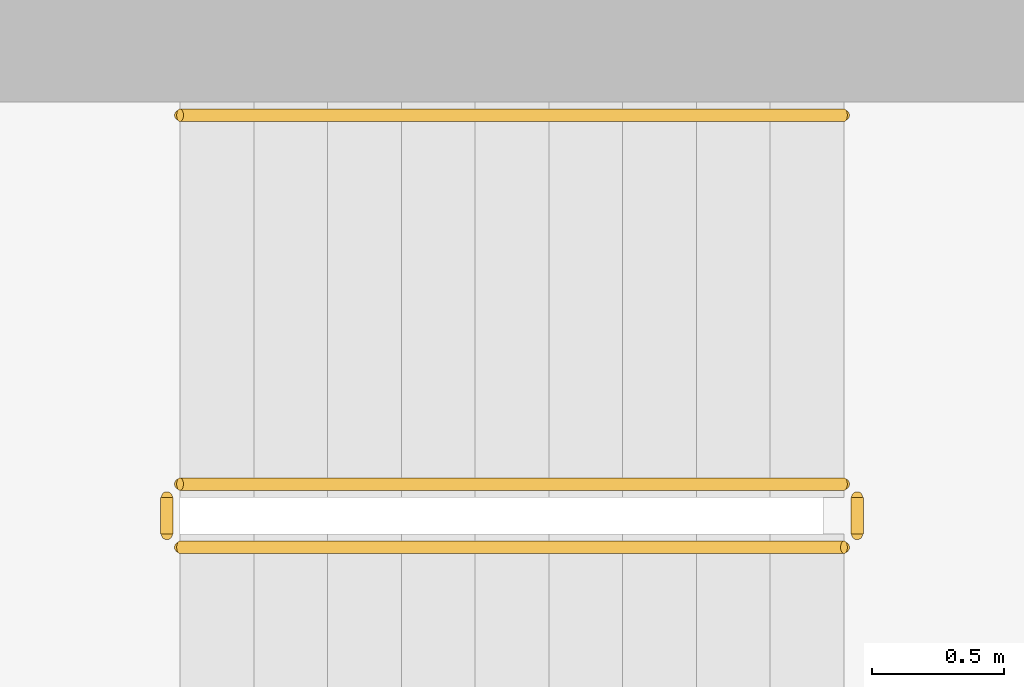
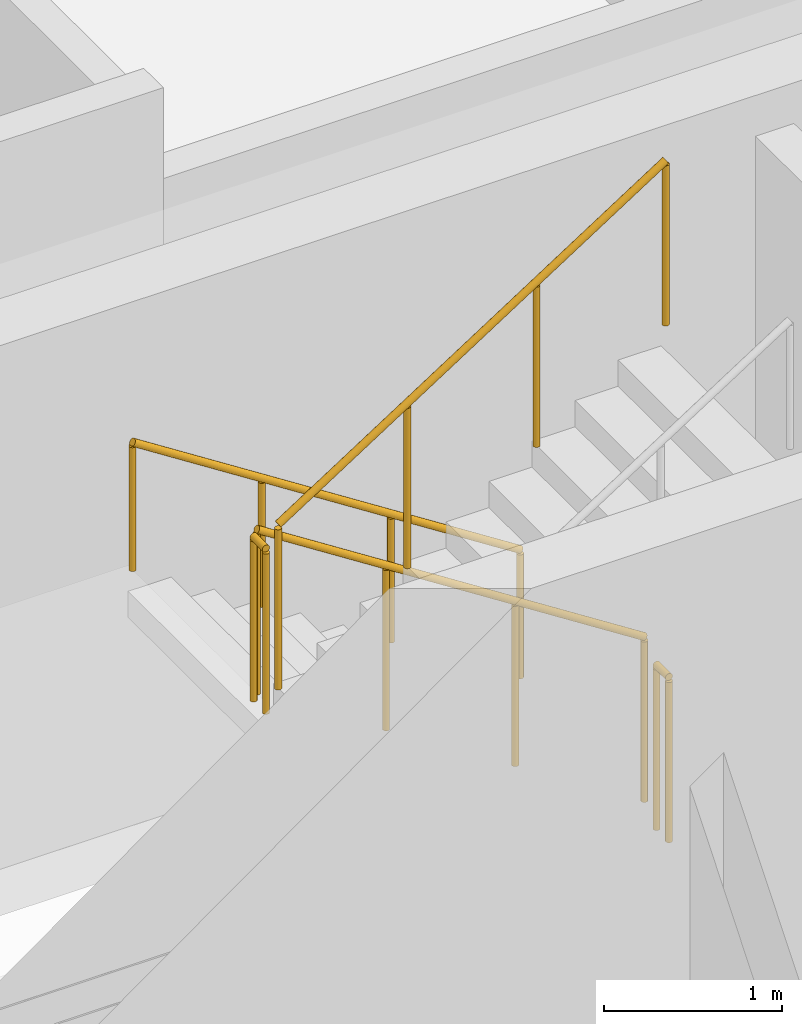
# One storey, part 12 of 13: 5 railings.
"""IFC4 building model written with IfcOpenShell, lengths in metres."""

from ifc_helpers import new_model, si_unit, derived_unit, direction, frame, origin, origin_2d, place, context, subcontext, project, spatial, circle, extrude, material, type_object, element, save


model = new_model("IFC4")

# Units and contexts
model_context = context("Model", 3, precision=1e-05, world=origin(), true_north=direction((0.0, 1.0)))
body_context = subcontext(model_context, "Body", "Model", "MODEL_VIEW")
ifc_project = project(units=[si_unit("LENGTHUNIT", "METRE"), si_unit("AREAUNIT", "SQUARE_METRE"), si_unit("VOLUMEUNIT", "CUBIC_METRE"), si_unit("PLANEANGLEUNIT", "RADIAN"), si_unit("MASSUNIT", "GRAM", prefix="KILO"), derived_unit("THERMALTRANSMITTANCEUNIT", [(si_unit("POWERUNIT", "WATT"), 1), (si_unit("LENGTHUNIT", "METRE"), -2), (si_unit("THERMODYNAMICTEMPERATUREUNIT", "KELVIN"), -1)])], contexts=[model_context])

# Site, building, storey
site_placement = place(None, origin())
site = spatial("IfcSite", under=ifc_project, at=site_placement, CompositionType="ELEMENT")
building_placement = place(site_placement, origin())
building = spatial("IfcBuilding", under=site, at=building_placement, Name="Kivonza Crest Hotel", CompositionType="ELEMENT")
storey_placement = place(building_placement, frame((0.0, 0.0, 199.10009765625)))
storey = spatial("IfcBuildingStorey", under=building, at=storey_placement, Name="L54", CompositionType="ELEMENT", Elevation=199.10009765625)

# Railings
ifc_material_1 = material(Name="Brushed stainless steel handrail", Category="steel")
railing_type_1 = type_object("IfcRailingType", Name="RL-HAND-900", PredefinedType="HANDRAIL", material=ifc_material_1)
railing_1_placement = place(storey_placement, frame((12.239990234375, 36.110107421875, 0.179931640625)))
element("IfcRailing", 1, at=railing_1_placement, inside=storey, type_object=railing_type_1, Name="L54 ST-T1-N stair handrail 1", PredefinedType="HANDRAIL", context=body_context, shape_type="SweptSolid", body=[
    extrude(circle(Radius=0.02392578125, at=origin_2d()), frame((0.0, 0.0, 0.8759765625), z_axis=(-0.841199657755, 0.0, 0.540724639528), x_axis=(0.0, -1.0, 0.0)), (0.0, 0.0, 1.0), 2.995849609375),
    extrude(circle(Radius=0.02099609375, at=origin_2d()), origin(), (0.0, 0.0, 1.0), 0.851806640625),
    extrude(circle(Radius=0.02099609375, at=origin_2d()), frame((-0.840087890625, 0.0, 0.5400390625)), (0.0, 0.0, 1.0), 0.851806640625),
    extrude(circle(Radius=0.02099609375, at=origin_2d()), frame((-1.679931640625, 0.0, 1.079833984375)), (0.0, 0.0, 1.0), 0.851806640625),
    extrude(circle(Radius=0.02099609375, at=origin_2d()), frame((-2.52001953125, 0.0, 1.619873046875)), (0.0, 0.0, 1.0), 0.851806640625),
])
ifc_material_2 = material(Name="Painted steel balustrade", Category="steel")
railing_type_2 = type_object("IfcRailingType", Name="RL-STAIR-1150", PredefinedType="BALUSTRADE", material=ifc_material_2)
railing_2_placement = place(storey_placement, frame((12.239990234375, 34.7099609375, 0.179931640625)))
element("IfcRailing", 2, at=railing_2_placement, inside=storey, type_object=railing_type_2, Name="L54 ST-T1-N stair guard 1", PredefinedType="BALUSTRADE", context=body_context, shape_type="SweptSolid", body=[
    extrude(circle(Radius=0.02392578125, at=origin_2d()), frame((0.0, 0.0, 1.1259765625), z_axis=(-0.841199657755, 0.0, 0.540724639528), x_axis=(0.0, -1.0, 0.0)), (0.0, 0.0, 1.0), 2.995849609375),
    extrude(circle(Radius=0.02099609375, at=origin_2d()), origin(), (0.0, 0.0, 1.0), 1.101806640625),
    extrude(circle(Radius=0.02099609375, at=origin_2d()), frame((-0.840087890625, 0.0, 0.5400390625)), (0.0, 0.0, 1.0), 1.101806640625),
    extrude(circle(Radius=0.02099609375, at=origin_2d()), frame((-1.679931640625, 0.0, 1.079833984375)), (0.0, 0.0, 1.0), 1.101806640625),
    extrude(circle(Radius=0.02099609375, at=origin_2d()), frame((-2.52001953125, 0.0, 1.619873046875)), (0.0, 0.0, 1.0), 1.101806640625),
])
railing_3_placement = place(storey_placement, frame((9.669921875, 34.659912109375, 1.7998046875)))
element("IfcRailing", 3, at=railing_3_placement, inside=storey, type_object=railing_type_2, Name="L54 ST-T1-N stair guard 2", PredefinedType="BALUSTRADE", context=body_context, shape_type="SweptSolid", body=[
    extrude(circle(Radius=0.02392578125, at=origin_2d()), frame((0.0, 0.0, 1.1259765625), z_axis=(0.0, -1.0, 0.0), x_axis=(1.0, 0.0, 0.0)), (0.0, 0.0, 1.0), 0.139892578125),
    extrude(circle(Radius=0.02099609375, at=origin_2d()), origin(), (0.0, 0.0, 1.0), 1.101806640625),
    extrude(circle(Radius=0.02099609375, at=origin_2d()), frame((0.0, -0.139892578125, 0.0)), (0.0, 0.0, 1.0), 1.101806640625),
])
railing_4_placement = place(storey_placement, frame((9.719970703125, 34.469970703125, 1.97998046875)))
element("IfcRailing", 4, at=railing_4_placement, inside=storey, type_object=railing_type_2, Name="L54 ST-T1-N stair guard 3", PredefinedType="BALUSTRADE", context=body_context, shape_type="SweptSolid", body=[
    extrude(circle(Radius=0.02392578125, at=origin_2d()), frame((0.0, 0.0, 1.1259765625), z_axis=(0.841199657755, 0.0, 0.540724639528), x_axis=(0.0, 1.0, 0.0)), (0.0, 0.0, 1.0), 2.995849609375),
    extrude(circle(Radius=0.02099609375, at=origin_2d()), origin(), (0.0, 0.0, 1.0), 1.101806640625),
    extrude(circle(Radius=0.02099609375, at=origin_2d()), frame((0.840087890625, 0.0, 0.5400390625)), (0.0, 0.0, 1.0), 1.101806640625),
    extrude(circle(Radius=0.02099609375, at=origin_2d()), frame((1.679931640625, 0.0, 1.079833984375)), (0.0, 0.0, 1.0), 1.101806640625),
    extrude(circle(Radius=0.02099609375, at=origin_2d()), frame((2.52001953125, 0.0, 1.619873046875)), (0.0, 0.0, 1.0), 1.101806640625),
])
railing_5_placement = place(storey_placement, frame((12.2900390625, 34.659912109375, 0.0)))
element("IfcRailing", 5, at=railing_5_placement, inside=storey, type_object=railing_type_2, Name="L54 ST-T1-N stair guard 4", PredefinedType="BALUSTRADE", context=body_context, shape_type="SweptSolid", body=[
    extrude(circle(Radius=0.02392578125, at=origin_2d()), frame((0.0, 0.0, 1.1259765625), z_axis=(0.0, -1.0, 0.0), x_axis=(1.0, 0.0, 0.0)), (0.0, 0.0, 1.0), 0.139892578125),
    extrude(circle(Radius=0.02099609375, at=origin_2d()), origin(), (0.0, 0.0, 1.0), 1.101806640625),
    extrude(circle(Radius=0.02099609375, at=origin_2d()), frame((0.0, -0.139892578125, 0.0)), (0.0, 0.0, 1.0), 1.101806640625),
])

save(model, "model.ifc")
